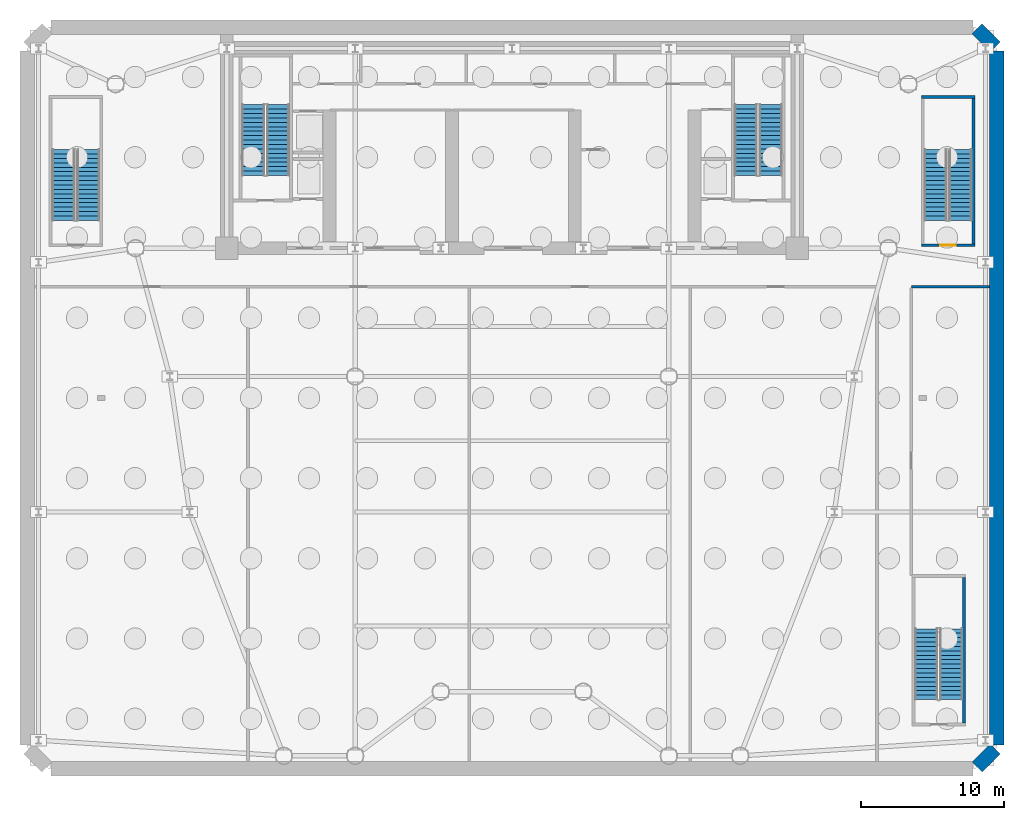
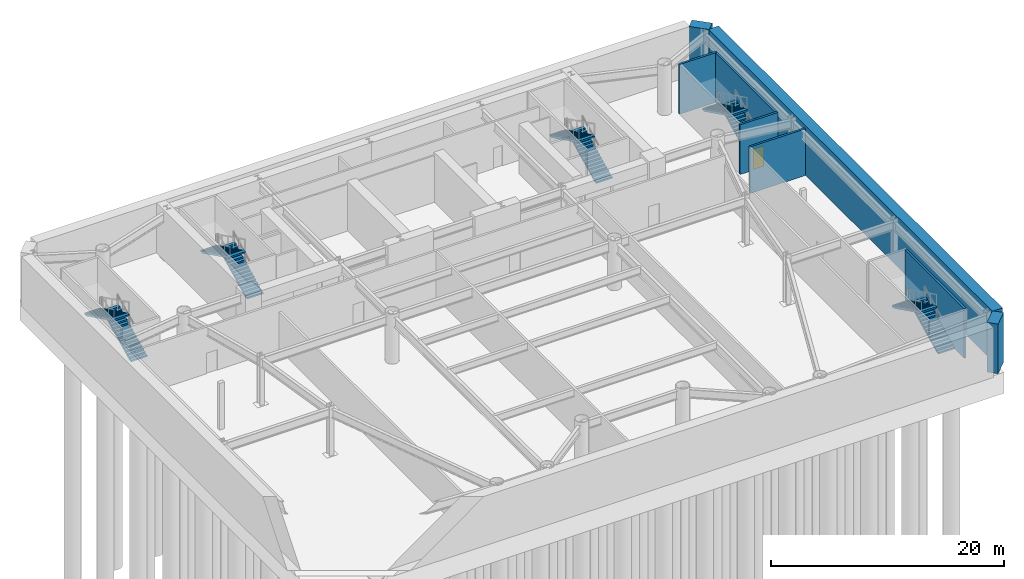
# One storey, part 5 of 11: 10 stair flights, 8 walls, 1 door, 1 opening, 5 elements without a shape of their own.
"""IFC4 building model written with IfcOpenShell, lengths in metres."""

from ifc_helpers import new_model, si_unit, direction, frame, frame_2d, origin, place, context, subcontext, project, spatial, polyline, rectangle, outline, extrude, source, transform, mapped, material, layer, layer_set, type_object, element, fill, aggregate, save


model = new_model("IFC4")

# Units and contexts
model_context = context("Model", 3, precision=1e-05, world=origin(), true_north=direction((0.0, 1.0)))
body_context = subcontext(model_context, "Body", "Model", "MODEL_VIEW")
ifc_project = project(units=[si_unit("LENGTHUNIT", "METRE"), si_unit("AREAUNIT", "SQUARE_METRE"), si_unit("VOLUMEUNIT", "CUBIC_METRE"), si_unit("PLANEANGLEUNIT", "RADIAN"), si_unit("MASSUNIT", "GRAM", prefix="KILO")], contexts=[model_context])

# Site, building, storey
site_placement = place(None, origin())
site = spatial("IfcSite", under=ifc_project, at=site_placement, CompositionType="ELEMENT")
building_placement = place(site_placement, origin())
building = spatial("IfcBuilding", under=site, at=building_placement, Name="Vaeldorn Concourse Tower", CompositionType="ELEMENT")
storey_placement = place(building_placement, frame((0.0, 0.0, -15.60009765625)))
storey = spatial("IfcBuildingStorey", under=building, at=storey_placement, Name="B03", CompositionType="ELEMENT", Elevation=-15.60009765625)

# Walls
ifc_material_1 = material(Name="Concrete C50/60", Category="concrete")
ifc_layer_1 = layer(ifc_material_1, 1.0)
ifc_layer_set_1 = layer_set([ifc_layer_1], Name="Concrete C50/60")
wall_type_1 = type_object("IfcWallType", Name="WL-DIAPH-1000", PredefinedType="STANDARD", material=ifc_layer_set_1)
wall_1_placement = place(storey_placement, frame((66.613037109375, 0.113037109375, 0.0), z_axis=(0.0, 0.0, 1.0), x_axis=(0.707106781187, 0.707106781187, 0.0)))
element("IfcWall", 1, at=wall_1_placement, inside=storey, type_object=wall_type_1, Name="Substructure Diaphragm Wall B03-02", PredefinedType="STANDARD", context=body_context, shape_type="SweptSolid", body=[
    extrude(rectangle(XDim=1.801513671875, YDim=1.0, at=frame_2d((0.90087890625, 0.0))), origin(), (0.0, 0.0, 1.0), 5.2001953125),
])
wall_2_placement = place(storey_placement, frame((68.0, 1.659912109375, 0.0), z_axis=(0.0, 0.0, 1.0), x_axis=(0.0, 1.0, 0.0)))
element("IfcWall", 2, at=wall_2_placement, inside=storey, type_object=wall_type_1, Name="Substructure Diaphragm Wall B03-03", PredefinedType="STANDARD", context=body_context, shape_type="SweptSolid", body=[
    extrude(rectangle(XDim=48.68017578125, YDim=1.0, at=frame_2d((24.340087890625, 0.0))), origin(), (0.0, 0.0, 1.0), 5.2001953125),
])
wall_3_placement = place(storey_placement, frame((67.886962890625, 50.613037109375, 0.0), z_axis=(0.0, 0.0, 1.0), x_axis=(-0.707106781187, 0.707106781187, 0.0)))
element("IfcWall", 3, at=wall_3_placement, inside=storey, type_object=wall_type_1, Name="Substructure Diaphragm Wall B03-04", PredefinedType="STANDARD", context=body_context, shape_type="SweptSolid", body=[
    extrude(rectangle(XDim=1.801513671875, YDim=1.0, at=frame_2d((0.90087890625, 0.0))), origin(), (0.0, 0.0, 1.0), 5.2001953125),
])

# Wall, opening, door
ifc_layer_2 = layer(ifc_material_1, 0.199951171875)
ifc_layer_set_2 = layer_set([ifc_layer_2], Name="Concrete C50/60")
wall_type_2 = type_object("IfcWallType", Name="WL-SHAFT-200", PredefinedType="SOLIDWALL", material=ifc_layer_set_2)
wall_4_placement = place(storey_placement, frame((62.699951171875, 36.699951171875, 0.0), z_axis=(0.0, 0.0, 1.0), x_axis=(1.0, 0.0, 0.0)))
wall_4 = element("IfcWall", 4, at=wall_4_placement, inside=storey, type_object=wall_type_2, Name="Stair Shaft Wall CW-B03-ST-4-S", PredefinedType="SOLIDWALL", context=body_context, shape_type="SweptSolid", body=[
    extrude(rectangle(XDim=3.75, YDim=0.199951171875, at=frame_2d((1.875, 0.0))), origin(), (0.0, 0.0, 1.0), 5.2001953125),
])
opening_placement = place(wall_4_placement, frame((1.324951171875, 0.0, 0.0)))
opening = element("IfcOpeningElement", 5, at=opening_placement, cuts=wall_4, Name="Opening D-01", PredefinedType="OPENING", context=body_context, shape_type="SweptSolid", body=[
    extrude(rectangle(XDim=1.10009765625, YDim=2.14990234375, at=frame_2d((0.550048828125, 1.074951171875))), frame((0.0, 0.10986328125, 0.0), z_axis=(0.0, -1.0, 0.0), x_axis=(1.0, 0.0, 0.0)), (0.0, 0.0, 1.0), 0.219970703125),
])
ifc_material_2 = material(Name="Fire-Rated Timber and Steel Leaf", Category="steel")
door_type = type_object("IfcDoorType", Name="DR-FD60-1100", OperationType="NOTDEFINED", PredefinedType="DOOR", material=ifc_material_2)
shared_shape = source(origin(), body_context, "Body", "SweptSolid", [
    extrude(rectangle(XDim=1.10009765625, YDim=2.14990234375, at=frame_2d((0.550048828125, 1.074951171875))), frame((0.0, 0.02490234375, 0.0), z_axis=(0.0, -1.0, 0.0), x_axis=(1.0, 0.0, 0.0)), (0.0, 0.0, 1.0), 0.050048828125),
])
door_placement = place(opening_placement, origin())
door = element("IfcDoor", 6, at=door_placement, inside=storey, type_object=door_type, Name="Interior Door DR-B03-ST-4", OperationType="SINGLE_SWING_RIGHT", OverallHeight=2.14990234375, OverallWidth=1.10009765625, PredefinedType="DOOR", context=body_context, shape_type="MappedRepresentation", body=[
    mapped(shared_shape, transform((0.0, 0.0, 0.0), scale=1.0)),
])
fill(opening, door)

# Walls
wall_5_placement = place(storey_placement, frame((62.699951171875, 47.10009765625, 0.0), z_axis=(0.0, 0.0, 1.0), x_axis=(1.0, 0.0, 0.0)))
element("IfcWall", 7, at=wall_5_placement, inside=storey, type_object=wall_type_2, Name="Stair Shaft Wall CW-B03-ST-4-N", PredefinedType="SOLIDWALL", context=body_context, shape_type="SweptSolid", body=[
    extrude(rectangle(XDim=3.75, YDim=0.199951171875, at=frame_2d((1.875, 0.0))), origin(), (0.0, 0.0, 1.0), 5.2001953125),
])
for number, where, z_axis, x_axis, name in (
    (8, (66.35009765625, 36.81005859375, 0.0), (0.0, 0.0, 1.0), (0.0, 1.0, 0.0), "Stair Shaft Wall CW-B03-ST-4-E"),
    (9, (65.699951171875, 3.2099609375, 0.0), (0.0, 0.0, 1.0), (0.0, 1.0, 0.0), "Stair Shaft Wall CW-B03-ST-5-E"),
):
    element("IfcWall", number, at=place(storey_placement, frame(where, z_axis=z_axis, x_axis=x_axis)), inside=storey, type_object=wall_type_2, Name=name, PredefinedType="SOLIDWALL", context=body_context, shape_type="SweptSolid", body=[
        extrude(rectangle(XDim=10.179931640625, YDim=0.199951171875, at=frame_2d((5.08984375, 0.0))), origin(), (0.0, 0.0, 1.0), 5.2001953125),
    ])
wall_6_placement = place(storey_placement, frame((62.0, 33.800048828125, 0.0), z_axis=(0.0, 0.0, 1.0), x_axis=(1.0, 0.0, 0.0)))
element("IfcWall", 10, at=wall_6_placement, inside=storey, type_object=wall_type_2, Name="Interior Wall PW-B03-CORE", PredefinedType="SOLIDWALL", context=body_context, shape_type="SweptSolid", body=[
    extrude(rectangle(XDim=5.47998046875, YDim=0.199951171875, at=frame_2d((2.739990234375, 0.0))), origin(), (0.0, 0.0, 1.0), 4.880126953125),
])

# Stair, stair flights
ifc_material_3 = material(Name="Precast concrete C40/50", Category="concrete")
stair_type = type_object("IfcStairType", Name="STR-DOG-34x153", PredefinedType="HALF_TURN_STAIR", material=ifc_material_3)
stair_1_placement = place(storey_placement, origin())
stair_1 = element("IfcStair", 11, at=stair_1_placement, inside=storey, type_object=stair_type, Name="B03 West Core Exit Stair ST-1", PredefinedType="HALF_TURN_STAIR")
stair_flight_type = type_object("IfcStairFlightType", Name="STF-STR-17x153", PredefinedType="STRAIGHT", material=ifc_material_3)
stair_flight_1_placement = place(storey_placement, frame((17.60009765625, 41.60009765625, 0.0), z_axis=(0.0, 0.0, 1.0), x_axis=(0.0, 1.0, 0.0)))
stair_flight_1 = element("IfcStairFlight", 12, at=stair_flight_1_placement, type_object=stair_flight_type, Name="ST-1 flight 1", NumberOfRisers=17, NumberOfTreads=16, PredefinedType="STRAIGHT", RiserHeight=0.152941176, TreadLength=0.31, context=body_context, shape_type="SweptSolid", body=[
    extrude(outline(polyline([(0.0, 0.0), (0.0, 0.15283203125), (0.31005859375, 0.15283203125), (0.31005859375, 0.305908203125), (0.6201171875, 0.305908203125), (0.6201171875, 0.458740234375), (0.929931640625, 0.458740234375), (0.929931640625, 0.61181640625), (1.239990234375, 0.61181640625), (1.239990234375, 0.7646484375), (1.550048828125, 0.7646484375), (1.550048828125, 0.917724609375), (1.860107421875, 0.917724609375), (1.860107421875, 1.070556640625), (2.169921875, 1.070556640625), (2.169921875, 1.2236328125), (2.47998046875, 1.2236328125), (2.47998046875, 1.37646484375), (2.7900390625, 1.37646484375), (2.7900390625, 1.529296875), (3.10009765625, 1.529296875), (3.10009765625, 1.682373046875), (3.409912109375, 1.682373046875), (3.409912109375, 1.835205078125), (3.719970703125, 1.835205078125), (3.719970703125, 1.98828125), (4.030029296875, 1.98828125), (4.030029296875, 2.14111328125), (4.340087890625, 2.14111328125), (4.340087890625, 2.294189453125), (4.64990234375, 2.294189453125), (4.64990234375, 2.447021484375), (4.9599609375, 2.447021484375), (4.9599609375, 2.60009765625), (4.9599609375, 2.27978515625), (0.3388671875, 0.0), (0.0, 0.0)])), frame((0.0, 0.800048828125, 0.0), z_axis=(0.0, -1.0, 0.0), x_axis=(1.0, 0.0, 0.0)), (0.0, 0.0, 1.0), 1.60009765625),
])
stair_flight_2_placement = place(storey_placement, frame((15.85009765625, 46.56005859375, 2.60009765625), z_axis=(0.0, 0.0, 1.0), x_axis=(0.0, -1.0, 0.0)))
stair_flight_2 = element("IfcStairFlight", 13, at=stair_flight_2_placement, type_object=stair_flight_type, Name="ST-1 flight 2", NumberOfRisers=17, NumberOfTreads=16, PredefinedType="STRAIGHT", RiserHeight=0.152941176, TreadLength=0.31, context=body_context, shape_type="SweptSolid", body=[
    extrude(outline(polyline([(0.0, 0.0), (0.0, 0.15283203125), (0.31005859375, 0.15283203125), (0.31005859375, 0.305908203125), (0.6201171875, 0.305908203125), (0.6201171875, 0.458740234375), (0.929931640625, 0.458740234375), (0.929931640625, 0.61181640625), (1.239990234375, 0.61181640625), (1.239990234375, 0.7646484375), (1.550048828125, 0.7646484375), (1.550048828125, 0.917724609375), (1.860107421875, 0.917724609375), (1.860107421875, 1.070556640625), (2.169921875, 1.070556640625), (2.169921875, 1.2236328125), (2.47998046875, 1.2236328125), (2.47998046875, 1.37646484375), (2.7900390625, 1.37646484375), (2.7900390625, 1.529296875), (3.10009765625, 1.529296875), (3.10009765625, 1.682373046875), (3.409912109375, 1.682373046875), (3.409912109375, 1.835205078125), (3.719970703125, 1.835205078125), (3.719970703125, 1.98828125), (4.030029296875, 1.98828125), (4.030029296875, 2.14111328125), (4.340087890625, 2.14111328125), (4.340087890625, 2.294189453125), (4.64990234375, 2.294189453125), (4.64990234375, 2.447021484375), (4.9599609375, 2.447021484375), (4.9599609375, 2.60009765625), (4.9599609375, 2.27978515625), (0.3388671875, 0.0), (0.0, 0.0)])), frame((0.0, 0.800048828125, 0.0), z_axis=(0.0, -1.0, 0.0), x_axis=(1.0, 0.0, 0.0)), (0.0, 0.0, 1.0), 1.60009765625),
])
aggregate(stair_1, [stair_flight_1, stair_flight_2])

stair_2_placement = place(storey_placement, origin())
stair_2 = element("IfcStair", 14, at=stair_2_placement, inside=storey, type_object=stair_type, Name="B03 East Core Exit Stair ST-2", PredefinedType="HALF_TURN_STAIR")
stair_flight_3_placement = place(storey_placement, frame((52.14990234375, 41.60009765625, 0.0), z_axis=(0.0, 0.0, 1.0), x_axis=(0.0, 1.0, 0.0)))
stair_flight_3 = element("IfcStairFlight", 15, at=stair_flight_3_placement, type_object=stair_flight_type, Name="ST-2 flight 1", NumberOfRisers=17, NumberOfTreads=16, PredefinedType="STRAIGHT", RiserHeight=0.152941176, TreadLength=0.31, context=body_context, shape_type="SweptSolid", body=[
    extrude(outline(polyline([(0.0, 0.0), (0.0, 0.15283203125), (0.31005859375, 0.15283203125), (0.31005859375, 0.305908203125), (0.6201171875, 0.305908203125), (0.6201171875, 0.458740234375), (0.929931640625, 0.458740234375), (0.929931640625, 0.61181640625), (1.239990234375, 0.61181640625), (1.239990234375, 0.7646484375), (1.550048828125, 0.7646484375), (1.550048828125, 0.917724609375), (1.860107421875, 0.917724609375), (1.860107421875, 1.070556640625), (2.169921875, 1.070556640625), (2.169921875, 1.2236328125), (2.47998046875, 1.2236328125), (2.47998046875, 1.37646484375), (2.7900390625, 1.37646484375), (2.7900390625, 1.529296875), (3.10009765625, 1.529296875), (3.10009765625, 1.682373046875), (3.409912109375, 1.682373046875), (3.409912109375, 1.835205078125), (3.719970703125, 1.835205078125), (3.719970703125, 1.98828125), (4.030029296875, 1.98828125), (4.030029296875, 2.14111328125), (4.340087890625, 2.14111328125), (4.340087890625, 2.294189453125), (4.64990234375, 2.294189453125), (4.64990234375, 2.447021484375), (4.9599609375, 2.447021484375), (4.9599609375, 2.60009765625), (4.9599609375, 2.27978515625), (0.3388671875, 0.0), (0.0, 0.0)])), frame((0.0, 0.800048828125, 0.0), z_axis=(0.0, -1.0, 0.0), x_axis=(1.0, 0.0, 0.0)), (0.0, 0.0, 1.0), 1.60009765625),
])
stair_flight_4_placement = place(storey_placement, frame((50.39990234375, 46.56005859375, 2.60009765625), z_axis=(0.0, 0.0, 1.0), x_axis=(0.0, -1.0, 0.0)))
stair_flight_4 = element("IfcStairFlight", 16, at=stair_flight_4_placement, type_object=stair_flight_type, Name="ST-2 flight 2", NumberOfRisers=17, NumberOfTreads=16, PredefinedType="STRAIGHT", RiserHeight=0.152941176, TreadLength=0.31, context=body_context, shape_type="SweptSolid", body=[
    extrude(outline(polyline([(0.0, 0.0), (0.0, 0.15283203125), (0.31005859375, 0.15283203125), (0.31005859375, 0.305908203125), (0.6201171875, 0.305908203125), (0.6201171875, 0.458740234375), (0.929931640625, 0.458740234375), (0.929931640625, 0.61181640625), (1.239990234375, 0.61181640625), (1.239990234375, 0.7646484375), (1.550048828125, 0.7646484375), (1.550048828125, 0.917724609375), (1.860107421875, 0.917724609375), (1.860107421875, 1.070556640625), (2.169921875, 1.070556640625), (2.169921875, 1.2236328125), (2.47998046875, 1.2236328125), (2.47998046875, 1.37646484375), (2.7900390625, 1.37646484375), (2.7900390625, 1.529296875), (3.10009765625, 1.529296875), (3.10009765625, 1.682373046875), (3.409912109375, 1.682373046875), (3.409912109375, 1.835205078125), (3.719970703125, 1.835205078125), (3.719970703125, 1.98828125), (4.030029296875, 1.98828125), (4.030029296875, 2.14111328125), (4.340087890625, 2.14111328125), (4.340087890625, 2.294189453125), (4.64990234375, 2.294189453125), (4.64990234375, 2.447021484375), (4.9599609375, 2.447021484375), (4.9599609375, 2.60009765625), (4.9599609375, 2.27978515625), (0.3388671875, 0.0), (0.0, 0.0)])), frame((0.0, 0.800048828125, 0.0), z_axis=(0.0, -1.0, 0.0), x_axis=(1.0, 0.0, 0.0)), (0.0, 0.0, 1.0), 1.60009765625),
])
aggregate(stair_2, [stair_flight_3, stair_flight_4])

stair_3_placement = place(storey_placement, origin())
stair_3 = element("IfcStair", 17, at=stair_3_placement, inside=storey, type_object=stair_type, Name="B03 Station West Exit Stair ST-3", PredefinedType="HALF_TURN_STAIR")
stair_flight_5_placement = place(storey_placement, frame((4.300048828125, 38.449951171875, 0.0), z_axis=(0.0, 0.0, 1.0), x_axis=(0.0, 1.0, 0.0)))
stair_flight_5 = element("IfcStairFlight", 18, at=stair_flight_5_placement, type_object=stair_flight_type, Name="ST-3 flight 1", NumberOfRisers=17, NumberOfTreads=16, PredefinedType="STRAIGHT", RiserHeight=0.152941176, TreadLength=0.31, context=body_context, shape_type="SweptSolid", body=[
    extrude(outline(polyline([(0.0, 0.0), (0.0, 0.15283203125), (0.31005859375, 0.15283203125), (0.31005859375, 0.305908203125), (0.6201171875, 0.305908203125), (0.6201171875, 0.458740234375), (0.929931640625, 0.458740234375), (0.929931640625, 0.61181640625), (1.239990234375, 0.61181640625), (1.239990234375, 0.7646484375), (1.550048828125, 0.7646484375), (1.550048828125, 0.917724609375), (1.860107421875, 0.917724609375), (1.860107421875, 1.070556640625), (2.169921875, 1.070556640625), (2.169921875, 1.2236328125), (2.47998046875, 1.2236328125), (2.47998046875, 1.37646484375), (2.7900390625, 1.37646484375), (2.7900390625, 1.529296875), (3.10009765625, 1.529296875), (3.10009765625, 1.682373046875), (3.409912109375, 1.682373046875), (3.409912109375, 1.835205078125), (3.719970703125, 1.835205078125), (3.719970703125, 1.98828125), (4.030029296875, 1.98828125), (4.030029296875, 2.14111328125), (4.340087890625, 2.14111328125), (4.340087890625, 2.294189453125), (4.64990234375, 2.294189453125), (4.64990234375, 2.447021484375), (4.9599609375, 2.447021484375), (4.9599609375, 2.60009765625), (4.9599609375, 2.27978515625), (0.3388671875, 0.0), (0.0, 0.0)])), frame((0.0, 0.800048828125, 0.0), z_axis=(0.0, -1.0, 0.0), x_axis=(1.0, 0.0, 0.0)), (0.0, 0.0, 1.0), 1.60009765625),
])
stair_flight_6_placement = place(storey_placement, frame((2.550048828125, 43.409912109375, 2.60009765625), z_axis=(0.0, 0.0, 1.0), x_axis=(0.0, -1.0, 0.0)))
stair_flight_6 = element("IfcStairFlight", 19, at=stair_flight_6_placement, type_object=stair_flight_type, Name="ST-3 flight 2", NumberOfRisers=17, NumberOfTreads=16, PredefinedType="STRAIGHT", RiserHeight=0.152941176, TreadLength=0.31, context=body_context, shape_type="SweptSolid", body=[
    extrude(outline(polyline([(0.0, 0.0), (0.0, 0.15283203125), (0.31005859375, 0.15283203125), (0.31005859375, 0.305908203125), (0.6201171875, 0.305908203125), (0.6201171875, 0.458740234375), (0.929931640625, 0.458740234375), (0.929931640625, 0.61181640625), (1.239990234375, 0.61181640625), (1.239990234375, 0.7646484375), (1.550048828125, 0.7646484375), (1.550048828125, 0.917724609375), (1.860107421875, 0.917724609375), (1.860107421875, 1.070556640625), (2.169921875, 1.070556640625), (2.169921875, 1.2236328125), (2.47998046875, 1.2236328125), (2.47998046875, 1.37646484375), (2.7900390625, 1.37646484375), (2.7900390625, 1.529296875), (3.10009765625, 1.529296875), (3.10009765625, 1.682373046875), (3.409912109375, 1.682373046875), (3.409912109375, 1.835205078125), (3.719970703125, 1.835205078125), (3.719970703125, 1.98828125), (4.030029296875, 1.98828125), (4.030029296875, 2.14111328125), (4.340087890625, 2.14111328125), (4.340087890625, 2.294189453125), (4.64990234375, 2.294189453125), (4.64990234375, 2.447021484375), (4.9599609375, 2.447021484375), (4.9599609375, 2.60009765625), (4.9599609375, 2.27978515625), (0.3388671875, 0.0), (0.0, 0.0)])), frame((0.0, 0.800048828125, 0.0), z_axis=(0.0, -1.0, 0.0), x_axis=(1.0, 0.0, 0.0)), (0.0, 0.0, 1.0), 1.60009765625),
])
aggregate(stair_3, [stair_flight_5, stair_flight_6])

stair_4_placement = place(storey_placement, origin())
stair_4 = element("IfcStair", 20, at=stair_4_placement, inside=storey, type_object=stair_type, Name="B03 Station East Exit Stair ST-4", PredefinedType="HALF_TURN_STAIR")
stair_flight_7_placement = place(storey_placement, frame((65.449951171875, 38.449951171875, 0.0), z_axis=(0.0, 0.0, 1.0), x_axis=(0.0, 1.0, 0.0)))
stair_flight_7 = element("IfcStairFlight", 21, at=stair_flight_7_placement, type_object=stair_flight_type, Name="ST-4 flight 1", NumberOfRisers=17, NumberOfTreads=16, PredefinedType="STRAIGHT", RiserHeight=0.152941176, TreadLength=0.31, context=body_context, shape_type="SweptSolid", body=[
    extrude(outline(polyline([(0.0, 0.0), (0.0, 0.15283203125), (0.31005859375, 0.15283203125), (0.31005859375, 0.305908203125), (0.6201171875, 0.305908203125), (0.6201171875, 0.458740234375), (0.929931640625, 0.458740234375), (0.929931640625, 0.61181640625), (1.239990234375, 0.61181640625), (1.239990234375, 0.7646484375), (1.550048828125, 0.7646484375), (1.550048828125, 0.917724609375), (1.860107421875, 0.917724609375), (1.860107421875, 1.070556640625), (2.169921875, 1.070556640625), (2.169921875, 1.2236328125), (2.47998046875, 1.2236328125), (2.47998046875, 1.37646484375), (2.7900390625, 1.37646484375), (2.7900390625, 1.529296875), (3.10009765625, 1.529296875), (3.10009765625, 1.682373046875), (3.409912109375, 1.682373046875), (3.409912109375, 1.835205078125), (3.719970703125, 1.835205078125), (3.719970703125, 1.98828125), (4.030029296875, 1.98828125), (4.030029296875, 2.14111328125), (4.340087890625, 2.14111328125), (4.340087890625, 2.294189453125), (4.64990234375, 2.294189453125), (4.64990234375, 2.447021484375), (4.9599609375, 2.447021484375), (4.9599609375, 2.60009765625), (4.9599609375, 2.27978515625), (0.3388671875, 0.0), (0.0, 0.0)])), frame((0.0, 0.800048828125, 0.0), z_axis=(0.0, -1.0, 0.0), x_axis=(1.0, 0.0, 0.0)), (0.0, 0.0, 1.0), 1.60009765625),
])
stair_flight_8_placement = place(storey_placement, frame((63.699951171875, 43.409912109375, 2.60009765625), z_axis=(0.0, 0.0, 1.0), x_axis=(0.0, -1.0, 0.0)))
stair_flight_8 = element("IfcStairFlight", 22, at=stair_flight_8_placement, type_object=stair_flight_type, Name="ST-4 flight 2", NumberOfRisers=17, NumberOfTreads=16, PredefinedType="STRAIGHT", RiserHeight=0.152941176, TreadLength=0.31, context=body_context, shape_type="SweptSolid", body=[
    extrude(outline(polyline([(0.0, 0.0), (0.0, 0.15283203125), (0.31005859375, 0.15283203125), (0.31005859375, 0.305908203125), (0.6201171875, 0.305908203125), (0.6201171875, 0.458740234375), (0.929931640625, 0.458740234375), (0.929931640625, 0.61181640625), (1.239990234375, 0.61181640625), (1.239990234375, 0.7646484375), (1.550048828125, 0.7646484375), (1.550048828125, 0.917724609375), (1.860107421875, 0.917724609375), (1.860107421875, 1.070556640625), (2.169921875, 1.070556640625), (2.169921875, 1.2236328125), (2.47998046875, 1.2236328125), (2.47998046875, 1.37646484375), (2.7900390625, 1.37646484375), (2.7900390625, 1.529296875), (3.10009765625, 1.529296875), (3.10009765625, 1.682373046875), (3.409912109375, 1.682373046875), (3.409912109375, 1.835205078125), (3.719970703125, 1.835205078125), (3.719970703125, 1.98828125), (4.030029296875, 1.98828125), (4.030029296875, 2.14111328125), (4.340087890625, 2.14111328125), (4.340087890625, 2.294189453125), (4.64990234375, 2.294189453125), (4.64990234375, 2.447021484375), (4.9599609375, 2.447021484375), (4.9599609375, 2.60009765625), (4.9599609375, 2.27978515625), (0.3388671875, 0.0), (0.0, 0.0)])), frame((0.0, 0.800048828125, 0.0), z_axis=(0.0, -1.0, 0.0), x_axis=(1.0, 0.0, 0.0)), (0.0, 0.0, 1.0), 1.60009765625),
])
aggregate(stair_4, [stair_flight_7, stair_flight_8])

stair_5_placement = place(storey_placement, origin())
stair_5 = element("IfcStair", 23, at=stair_5_placement, inside=storey, type_object=stair_type, Name="B03 Podium Auditorium Exit Stair ST-5", PredefinedType="HALF_TURN_STAIR")
stair_flight_9_placement = place(storey_placement, frame((64.800048828125, 4.85009765625, 0.0), z_axis=(0.0, 0.0, 1.0), x_axis=(0.0, 1.0, 0.0)))
stair_flight_9 = element("IfcStairFlight", 24, at=stair_flight_9_placement, type_object=stair_flight_type, Name="ST-5 flight 1", NumberOfRisers=17, NumberOfTreads=16, PredefinedType="STRAIGHT", RiserHeight=0.152941176, TreadLength=0.31, context=body_context, shape_type="SweptSolid", body=[
    extrude(outline(polyline([(0.0, 0.0), (0.0, 0.15283203125), (0.31005859375, 0.15283203125), (0.31005859375, 0.305908203125), (0.6201171875, 0.305908203125), (0.6201171875, 0.458740234375), (0.929931640625, 0.458740234375), (0.929931640625, 0.61181640625), (1.239990234375, 0.61181640625), (1.239990234375, 0.7646484375), (1.550048828125, 0.7646484375), (1.550048828125, 0.917724609375), (1.860107421875, 0.917724609375), (1.860107421875, 1.070556640625), (2.169921875, 1.070556640625), (2.169921875, 1.2236328125), (2.47998046875, 1.2236328125), (2.47998046875, 1.37646484375), (2.7900390625, 1.37646484375), (2.7900390625, 1.529296875), (3.10009765625, 1.529296875), (3.10009765625, 1.682373046875), (3.409912109375, 1.682373046875), (3.409912109375, 1.835205078125), (3.719970703125, 1.835205078125), (3.719970703125, 1.98828125), (4.030029296875, 1.98828125), (4.030029296875, 2.14111328125), (4.340087890625, 2.14111328125), (4.340087890625, 2.294189453125), (4.64990234375, 2.294189453125), (4.64990234375, 2.447021484375), (4.9599609375, 2.447021484375), (4.9599609375, 2.60009765625), (4.9599609375, 2.27978515625), (0.3388671875, 0.0), (0.0, 0.0)])), frame((0.0, 0.800048828125, 0.0), z_axis=(0.0, -1.0, 0.0), x_axis=(1.0, 0.0, 0.0)), (0.0, 0.0, 1.0), 1.60009765625),
])
stair_flight_10_placement = place(storey_placement, frame((63.050048828125, 9.81005859375, 2.60009765625), z_axis=(0.0, 0.0, 1.0), x_axis=(0.0, -1.0, 0.0)))
stair_flight_10 = element("IfcStairFlight", 25, at=stair_flight_10_placement, type_object=stair_flight_type, Name="ST-5 flight 2", NumberOfRisers=17, NumberOfTreads=16, PredefinedType="STRAIGHT", RiserHeight=0.152941176, TreadLength=0.31, context=body_context, shape_type="SweptSolid", body=[
    extrude(outline(polyline([(0.0, 0.0), (0.0, 0.15283203125), (0.31005859375, 0.15283203125), (0.31005859375, 0.305908203125), (0.6201171875, 0.305908203125), (0.6201171875, 0.458740234375), (0.929931640625, 0.458740234375), (0.929931640625, 0.61181640625), (1.239990234375, 0.61181640625), (1.239990234375, 0.7646484375), (1.550048828125, 0.7646484375), (1.550048828125, 0.917724609375), (1.860107421875, 0.917724609375), (1.860107421875, 1.070556640625), (2.169921875, 1.070556640625), (2.169921875, 1.2236328125), (2.47998046875, 1.2236328125), (2.47998046875, 1.37646484375), (2.7900390625, 1.37646484375), (2.7900390625, 1.529296875), (3.10009765625, 1.529296875), (3.10009765625, 1.682373046875), (3.409912109375, 1.682373046875), (3.409912109375, 1.835205078125), (3.719970703125, 1.835205078125), (3.719970703125, 1.98828125), (4.030029296875, 1.98828125), (4.030029296875, 2.14111328125), (4.340087890625, 2.14111328125), (4.340087890625, 2.294189453125), (4.64990234375, 2.294189453125), (4.64990234375, 2.447021484375), (4.9599609375, 2.447021484375), (4.9599609375, 2.60009765625), (4.9599609375, 2.27978515625), (0.3388671875, 0.0), (0.0, 0.0)])), frame((0.0, 0.800048828125, 0.0), z_axis=(0.0, -1.0, 0.0), x_axis=(1.0, 0.0, 0.0)), (0.0, 0.0, 1.0), 1.60009765625),
])
aggregate(stair_5, [stair_flight_9, stair_flight_10])

save(model, "model.ifc")
